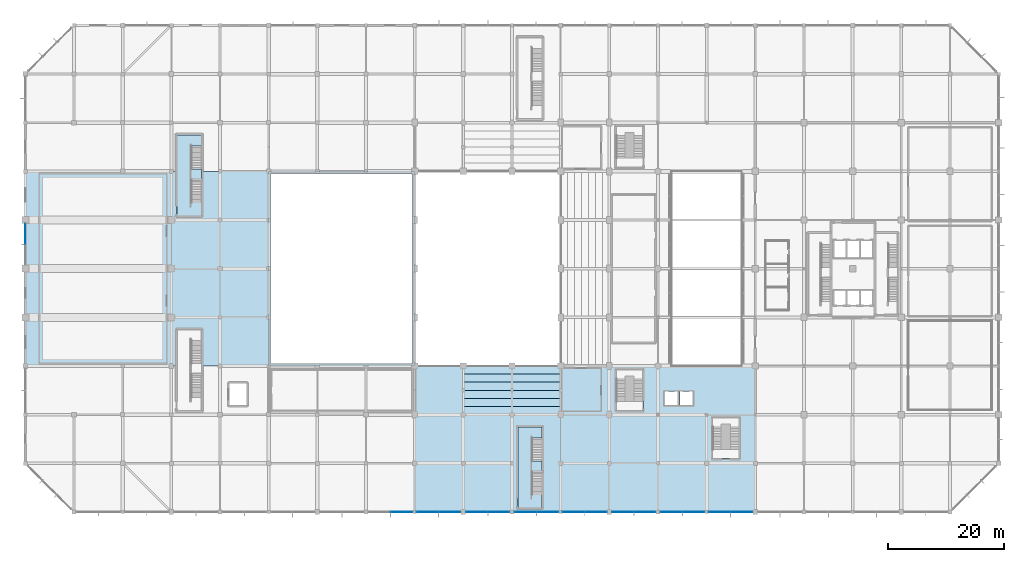
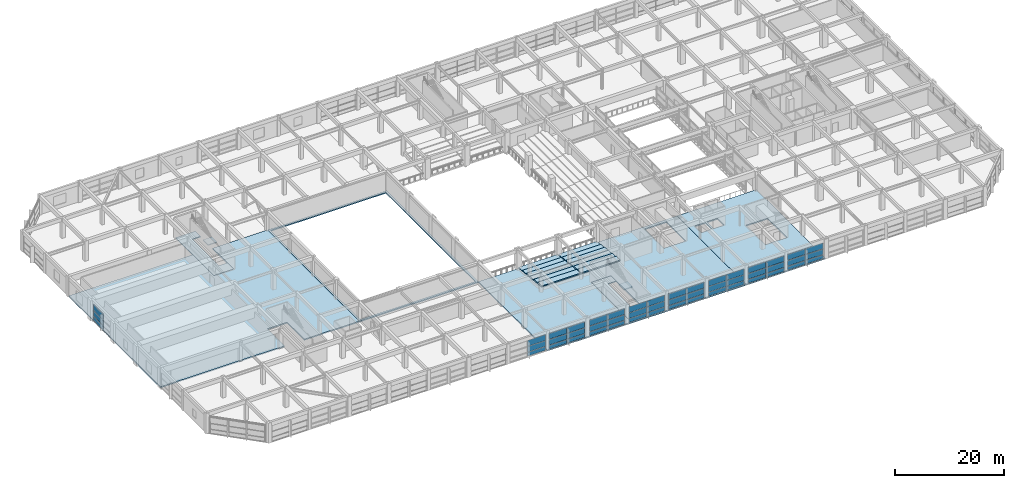
# One storey, part 43 of 62: 48 plates, 10 slabs, 11 elements without a shape of their own.
"""IFC4 building model written with IfcOpenShell, lengths in metres."""

from ifc_helpers import new_model, si_unit, direction, frame, origin, origin_2d, place, context, subcontext, project, spatial, polyline, rectangle, outline, extrude, material, layer, layer_set, type_object, element, aggregate, save


model = new_model("IFC4")

# Units and contexts
model_context = context("Model", 3, precision=1e-05, world=origin(), true_north=direction((0.0, 1.0)))
body_context = subcontext(model_context, "Body", "Model", "MODEL_VIEW")
ifc_project = project(units=[si_unit("LENGTHUNIT", "METRE"), si_unit("AREAUNIT", "SQUARE_METRE"), si_unit("VOLUMEUNIT", "CUBIC_METRE"), si_unit("PLANEANGLEUNIT", "RADIAN"), si_unit("MASSUNIT", "GRAM", prefix="KILO")], contexts=[model_context])

# Site, building, storey
site_placement = place(None, origin())
site = spatial("IfcSite", under=ifc_project, at=site_placement, CompositionType="ELEMENT")
building_placement = place(site_placement, origin())
building = spatial("IfcBuilding", under=site, at=building_placement, Name="Xuanlan Plaza Opera House", CompositionType="ELEMENT")
storey_placement = place(building_placement, frame((0.0, 0.0, 14.39990234375)))
storey = spatial("IfcBuildingStorey", under=building, at=storey_placement, Name="L03", CompositionType="ELEMENT", Elevation=14.39990234375)

# Curtain wall, plates
ifc_material_1 = material(Name="Anodised Aluminium 6063-T6 and Low-E Glass", Category="aluminium")
curtain_wall_type_1 = type_object("IfcCurtainWallType", Name="ENV-CW-CW-06", PredefinedType="USERDEFINED", material=ifc_material_1)
curtain_wall_1_placement = place(storey_placement, origin())
curtain_wall_1 = element("IfcCurtainWall", 1, at=curtain_wall_1_placement, inside=storey, type_object=curtain_wall_type_1, Name="Acoustic Glazed Wall L03-007", ObjectType="ACOUSTIC GLAZED WALL", PredefinedType="USERDEFINED")
ifc_material_2 = material(Name="Laminated Acoustic Double Glazing", Category="glass")
ifc_layer_1 = layer(ifc_material_2, 0.028076171875)
ifc_layer_set_1 = layer_set([ifc_layer_1], Name="Laminated Acoustic Double Glazing")
plate_type_1 = type_object("IfcPlateType", Name="ENV-CWP-01", PredefinedType="CURTAIN_PANEL", material=ifc_layer_set_1)
plate_1_placement = place(storey_placement, frame((64.93505859375, 16.800048828125, 0.080078125), z_axis=(0.0, 0.0, 1.0), x_axis=(1.0, 0.0, 0.0)))
plate_1 = element("IfcPlate", 2, at=plate_1_placement, type_object=plate_type_1, Name="CW-06 panel 2.1", PredefinedType="CURTAIN_PANEL", context=body_context, shape_type="SweptSolid", body=[
    extrude(rectangle(XDim=3.75, YDim=0.028076171875, at=origin_2d()), origin(), (0.0, 0.0, 1.0), 0.830078125),
])
plate_2_placement = place(storey_placement, frame((64.93505859375, 16.800048828125, 0.990234375), z_axis=(0.0, 0.0, 1.0), x_axis=(1.0, 0.0, 0.0)))
plate_2 = element("IfcPlate", 3, at=plate_2_placement, type_object=plate_type_1, Name="CW-06 panel 2.2", PredefinedType="CURTAIN_PANEL", context=body_context, shape_type="SweptSolid", body=[
    extrude(rectangle(XDim=3.75, YDim=0.028076171875, at=origin_2d()), origin(), (0.0, 0.0, 1.0), 1.219970703125),
])
plate_3_placement = place(storey_placement, frame((64.93505859375, 16.800048828125, 2.2900390625), z_axis=(0.0, 0.0, 1.0), x_axis=(1.0, 0.0, 0.0)))
plate_3 = element("IfcPlate", 4, at=plate_3_placement, type_object=plate_type_1, Name="CW-06 panel 2.3", PredefinedType="CURTAIN_PANEL", context=body_context, shape_type="SweptSolid", body=[
    extrude(rectangle(XDim=3.75, YDim=0.028076171875, at=origin_2d()), origin(), (0.0, 0.0, 1.0), 1.31005859375),
])
aggregate(curtain_wall_1, [plate_1, plate_2, plate_3])

curtain_wall_type_2 = type_object("IfcCurtainWallType", Name="ENV-CW-CW-05", PredefinedType="USERDEFINED", material=ifc_material_1)
curtain_wall_2_placement = place(storey_placement, origin())
curtain_wall_2 = element("IfcCurtainWall", 5, at=curtain_wall_2_placement, inside=storey, type_object=curtain_wall_type_2, Name="Acoustic Glazed Wall L03-012", ObjectType="ACOUSTIC GLAZED WALL", PredefinedType="USERDEFINED")
plate_4_placement = place(storey_placement, frame((103.139892578125, 16.800048828125, 0.080078125), z_axis=(0.0, 0.0, 1.0), x_axis=(1.0, 0.0, 0.0)))
plate_4 = element("IfcPlate", 6, at=plate_4_placement, type_object=plate_type_1, Name="CW-05 panel 1.1", PredefinedType="CURTAIN_PANEL", context=body_context, shape_type="SweptSolid", body=[
    extrude(rectangle(XDim=3.699951171875, YDim=0.028076171875, at=origin_2d()), origin(), (0.0, 0.0, 1.0), 0.830078125),
])
plate_5_placement = place(storey_placement, frame((103.139892578125, 16.800048828125, 0.990234375), z_axis=(0.0, 0.0, 1.0), x_axis=(1.0, 0.0, 0.0)))
plate_5 = element("IfcPlate", 7, at=plate_5_placement, type_object=plate_type_1, Name="CW-05 panel 1.2", PredefinedType="CURTAIN_PANEL", context=body_context, shape_type="SweptSolid", body=[
    extrude(rectangle(XDim=3.699951171875, YDim=0.028076171875, at=origin_2d()), origin(), (0.0, 0.0, 1.0), 1.219970703125),
])
plate_6_placement = place(storey_placement, frame((103.139892578125, 16.800048828125, 2.2900390625), z_axis=(0.0, 0.0, 1.0), x_axis=(1.0, 0.0, 0.0)))
plate_6 = element("IfcPlate", 8, at=plate_6_placement, type_object=plate_type_1, Name="CW-05 panel 1.3", PredefinedType="CURTAIN_PANEL", context=body_context, shape_type="SweptSolid", body=[
    extrude(rectangle(XDim=3.699951171875, YDim=0.028076171875, at=origin_2d()), origin(), (0.0, 0.0, 1.0), 1.31005859375),
])
plate_7_placement = place(storey_placement, frame((106.909912109375, 16.800048828125, 0.080078125), z_axis=(0.0, 0.0, 1.0), x_axis=(1.0, 0.0, 0.0)))
plate_7 = element("IfcPlate", 9, at=plate_7_placement, type_object=plate_type_1, Name="CW-05 panel 2.1", PredefinedType="CURTAIN_PANEL", context=body_context, shape_type="SweptSolid", body=[
    extrude(rectangle(XDim=3.699951171875, YDim=0.028076171875, at=origin_2d()), origin(), (0.0, 0.0, 1.0), 0.830078125),
])
plate_8_placement = place(storey_placement, frame((106.909912109375, 16.800048828125, 0.990234375), z_axis=(0.0, 0.0, 1.0), x_axis=(1.0, 0.0, 0.0)))
plate_8 = element("IfcPlate", 10, at=plate_8_placement, type_object=plate_type_1, Name="CW-05 panel 2.2", PredefinedType="CURTAIN_PANEL", context=body_context, shape_type="SweptSolid", body=[
    extrude(rectangle(XDim=3.699951171875, YDim=0.028076171875, at=origin_2d()), origin(), (0.0, 0.0, 1.0), 1.219970703125),
])
plate_9_placement = place(storey_placement, frame((106.909912109375, 16.800048828125, 2.2900390625), z_axis=(0.0, 0.0, 1.0), x_axis=(1.0, 0.0, 0.0)))
plate_9 = element("IfcPlate", 11, at=plate_9_placement, type_object=plate_type_1, Name="CW-05 panel 2.3", PredefinedType="CURTAIN_PANEL", context=body_context, shape_type="SweptSolid", body=[
    extrude(rectangle(XDim=3.699951171875, YDim=0.028076171875, at=origin_2d()), origin(), (0.0, 0.0, 1.0), 1.31005859375),
])
aggregate(curtain_wall_2, [plate_4, plate_5, plate_6, plate_7, plate_8, plate_9])

curtain_wall_3_placement = place(storey_placement, origin())
curtain_wall_3 = element("IfcCurtainWall", 12, at=curtain_wall_3_placement, inside=storey, type_object=curtain_wall_type_1, Name="Acoustic Glazed Wall L03-009", ObjectType="ACOUSTIC GLAZED WALL", PredefinedType="USERDEFINED")
ifc_layer_2 = layer(ifc_material_2, 0.031982421875)
ifc_layer_set_2 = layer_set([ifc_layer_2], Name="Laminated Acoustic Double Glazing")
plate_type_2 = type_object("IfcPlateType", Name="ENV-CWP-02", PredefinedType="CURTAIN_PANEL", material=ifc_layer_set_2)
plate_10_placement = place(storey_placement, frame((77.9423828125, 16.800048828125, 0.0751953125), z_axis=(0.0, 0.0, 1.0), x_axis=(1.0, 0.0, 0.0)))
plate_10 = element("IfcPlate", 13, at=plate_10_placement, type_object=plate_type_2, Name="CW-06 panel 1.1", PredefinedType="CURTAIN_PANEL", context=body_context, shape_type="SweptSolid", body=[
    extrude(rectangle(XDim=3.68505859375, YDim=0.031982421875, at=origin_2d()), origin(), (0.0, 0.0, 1.0), 0.83740234375),
])
plate_11_placement = place(storey_placement, frame((77.9423828125, 16.800048828125, 0.987548828125), z_axis=(0.0, 0.0, 1.0), x_axis=(1.0, 0.0, 0.0)))
plate_11 = element("IfcPlate", 14, at=plate_11_placement, type_object=plate_type_2, Name="CW-06 panel 1.2", PredefinedType="CURTAIN_PANEL", context=body_context, shape_type="SweptSolid", body=[
    extrude(rectangle(XDim=3.68505859375, YDim=0.031982421875, at=origin_2d()), origin(), (0.0, 0.0, 1.0), 1.22509765625),
])
plate_12_placement = place(storey_placement, frame((77.9423828125, 16.800048828125, 2.28759765625), z_axis=(0.0, 0.0, 1.0), x_axis=(1.0, 0.0, 0.0)))
plate_12 = element("IfcPlate", 15, at=plate_12_placement, type_object=plate_type_2, Name="CW-06 panel 1.3", PredefinedType="CURTAIN_PANEL", context=body_context, shape_type="SweptSolid", body=[
    extrude(rectangle(XDim=3.68505859375, YDim=0.031982421875, at=origin_2d()), origin(), (0.0, 0.0, 1.0), 1.3173828125),
])
plate_13_placement = place(storey_placement, frame((81.70751953125, 16.800048828125, 0.0751953125), z_axis=(0.0, 0.0, 1.0), x_axis=(1.0, 0.0, 0.0)))
plate_13 = element("IfcPlate", 16, at=plate_13_placement, type_object=plate_type_2, Name="CW-06 panel 2.1", PredefinedType="CURTAIN_PANEL", context=body_context, shape_type="SweptSolid", body=[
    extrude(rectangle(XDim=3.68505859375, YDim=0.031982421875, at=origin_2d()), origin(), (0.0, 0.0, 1.0), 0.83740234375),
])
plate_14_placement = place(storey_placement, frame((81.70751953125, 16.800048828125, 0.987548828125), z_axis=(0.0, 0.0, 1.0), x_axis=(1.0, 0.0, 0.0)))
plate_14 = element("IfcPlate", 17, at=plate_14_placement, type_object=plate_type_2, Name="CW-06 panel 2.2", PredefinedType="CURTAIN_PANEL", context=body_context, shape_type="SweptSolid", body=[
    extrude(rectangle(XDim=3.68505859375, YDim=0.031982421875, at=origin_2d()), origin(), (0.0, 0.0, 1.0), 1.22509765625),
])
plate_15_placement = place(storey_placement, frame((81.70751953125, 16.800048828125, 2.28759765625), z_axis=(0.0, 0.0, 1.0), x_axis=(1.0, 0.0, 0.0)))
plate_15 = element("IfcPlate", 18, at=plate_15_placement, type_object=plate_type_2, Name="CW-06 panel 2.3", PredefinedType="CURTAIN_PANEL", context=body_context, shape_type="SweptSolid", body=[
    extrude(rectangle(XDim=3.68505859375, YDim=0.031982421875, at=origin_2d()), origin(), (0.0, 0.0, 1.0), 1.3173828125),
])
aggregate(curtain_wall_3, [plate_10, plate_11, plate_12, plate_13, plate_14, plate_15])

curtain_wall_4_placement = place(storey_placement, origin())
curtain_wall_4 = element("IfcCurtainWall", 19, at=curtain_wall_4_placement, inside=storey, type_object=curtain_wall_type_2, Name="Acoustic Glazed Wall L03-014", ObjectType="ACOUSTIC GLAZED WALL", PredefinedType="USERDEFINED")
plate_16_placement = place(storey_placement, frame((119.85498046875, 16.800048828125, 0.0751953125), z_axis=(0.0, 0.0, 1.0), x_axis=(1.0, 0.0, 0.0)))
plate_16 = element("IfcPlate", 20, at=plate_16_placement, type_object=plate_type_2, Name="CW-05 panel 1.1", PredefinedType="CURTAIN_PANEL", context=body_context, shape_type="SweptSolid", body=[
    extrude(rectangle(XDim=3.7099609375, YDim=0.031982421875, at=origin_2d()), origin(), (0.0, 0.0, 1.0), 0.83740234375),
])
plate_17_placement = place(storey_placement, frame((119.85498046875, 16.800048828125, 0.987548828125), z_axis=(0.0, 0.0, 1.0), x_axis=(1.0, 0.0, 0.0)))
plate_17 = element("IfcPlate", 21, at=plate_17_placement, type_object=plate_type_2, Name="CW-05 panel 1.2", PredefinedType="CURTAIN_PANEL", context=body_context, shape_type="SweptSolid", body=[
    extrude(rectangle(XDim=3.7099609375, YDim=0.031982421875, at=origin_2d()), origin(), (0.0, 0.0, 1.0), 1.22509765625),
])
plate_18_placement = place(storey_placement, frame((119.85498046875, 16.800048828125, 2.28759765625), z_axis=(0.0, 0.0, 1.0), x_axis=(1.0, 0.0, 0.0)))
plate_18 = element("IfcPlate", 22, at=plate_18_placement, type_object=plate_type_2, Name="CW-05 panel 1.3", PredefinedType="CURTAIN_PANEL", context=body_context, shape_type="SweptSolid", body=[
    extrude(rectangle(XDim=3.7099609375, YDim=0.031982421875, at=origin_2d()), origin(), (0.0, 0.0, 1.0), 1.3173828125),
])
plate_19_placement = place(storey_placement, frame((123.64501953125, 16.800048828125, 0.0751953125), z_axis=(0.0, 0.0, 1.0), x_axis=(1.0, 0.0, 0.0)))
plate_19 = element("IfcPlate", 23, at=plate_19_placement, type_object=plate_type_2, Name="CW-05 panel 2.1", PredefinedType="CURTAIN_PANEL", context=body_context, shape_type="SweptSolid", body=[
    extrude(rectangle(XDim=3.7099609375, YDim=0.031982421875, at=origin_2d()), origin(), (0.0, 0.0, 1.0), 0.83740234375),
])
plate_20_placement = place(storey_placement, frame((123.64501953125, 16.800048828125, 0.987548828125), z_axis=(0.0, 0.0, 1.0), x_axis=(1.0, 0.0, 0.0)))
plate_20 = element("IfcPlate", 24, at=plate_20_placement, type_object=plate_type_2, Name="CW-05 panel 2.2", PredefinedType="CURTAIN_PANEL", context=body_context, shape_type="SweptSolid", body=[
    extrude(rectangle(XDim=3.7099609375, YDim=0.031982421875, at=origin_2d()), origin(), (0.0, 0.0, 1.0), 1.22509765625),
])
plate_21_placement = place(storey_placement, frame((123.64501953125, 16.800048828125, 2.28759765625), z_axis=(0.0, 0.0, 1.0), x_axis=(1.0, 0.0, 0.0)))
plate_21 = element("IfcPlate", 25, at=plate_21_placement, type_object=plate_type_2, Name="CW-05 panel 2.3", PredefinedType="CURTAIN_PANEL", context=body_context, shape_type="SweptSolid", body=[
    extrude(rectangle(XDim=3.7099609375, YDim=0.031982421875, at=origin_2d()), origin(), (0.0, 0.0, 1.0), 1.3173828125),
])
aggregate(curtain_wall_4, [plate_16, plate_17, plate_18, plate_19, plate_20, plate_21])

curtain_wall_5_placement = place(storey_placement, origin())
curtain_wall_5 = element("IfcCurtainWall", 26, at=curtain_wall_5_placement, inside=storey, type_object=curtain_wall_type_1, Name="Acoustic Glazed Wall L03-011", ObjectType="ACOUSTIC GLAZED WALL", PredefinedType="USERDEFINED")
ifc_layer_3 = layer(ifc_material_2, 0.035888671875)
ifc_layer_set_3 = layer_set([ifc_layer_3], Name="Laminated Acoustic Double Glazing")
plate_type_3 = type_object("IfcPlateType", Name="ENV-CWP-03", PredefinedType="CURTAIN_PANEL", material=ifc_layer_set_3)
plate_22_placement = place(storey_placement, frame((94.6513671875, 16.800048828125, 0.0703125), z_axis=(0.0, 0.0, 1.0), x_axis=(1.0, 0.0, 0.0)))
plate_22 = element("IfcPlate", 27, at=plate_22_placement, type_object=plate_type_3, Name="CW-06 panel 1.1", PredefinedType="CURTAIN_PANEL", context=body_context, shape_type="SweptSolid", body=[
    extrude(rectangle(XDim=3.732421875, YDim=0.035888671875, at=origin_2d()), origin(), (0.0, 0.0, 1.0), 0.844970703125),
])
plate_23_placement = place(storey_placement, frame((94.6513671875, 16.800048828125, 0.985107421875), z_axis=(0.0, 0.0, 1.0), x_axis=(1.0, 0.0, 0.0)))
plate_23 = element("IfcPlate", 28, at=plate_23_placement, type_object=plate_type_3, Name="CW-06 panel 1.2", PredefinedType="CURTAIN_PANEL", context=body_context, shape_type="SweptSolid", body=[
    extrude(rectangle(XDim=3.732421875, YDim=0.035888671875, at=origin_2d()), origin(), (0.0, 0.0, 1.0), 1.22998046875),
])
plate_24_placement = place(storey_placement, frame((94.6513671875, 16.800048828125, 2.28515625), z_axis=(0.0, 0.0, 1.0), x_axis=(1.0, 0.0, 0.0)))
plate_24 = element("IfcPlate", 29, at=plate_24_placement, type_object=plate_type_3, Name="CW-06 panel 1.3", PredefinedType="CURTAIN_PANEL", context=body_context, shape_type="SweptSolid", body=[
    extrude(rectangle(XDim=3.732421875, YDim=0.035888671875, at=origin_2d()), origin(), (0.0, 0.0, 1.0), 1.324951171875),
])
plate_25_placement = place(storey_placement, frame((98.44873046875, 16.800048828125, 0.0703125), z_axis=(0.0, 0.0, 1.0), x_axis=(1.0, 0.0, 0.0)))
plate_25 = element("IfcPlate", 30, at=plate_25_placement, type_object=plate_type_3, Name="CW-06 panel 2.1", PredefinedType="CURTAIN_PANEL", context=body_context, shape_type="SweptSolid", body=[
    extrude(rectangle(XDim=3.732421875, YDim=0.035888671875, at=origin_2d()), origin(), (0.0, 0.0, 1.0), 0.844970703125),
])
plate_26_placement = place(storey_placement, frame((98.44873046875, 16.800048828125, 0.985107421875), z_axis=(0.0, 0.0, 1.0), x_axis=(1.0, 0.0, 0.0)))
plate_26 = element("IfcPlate", 31, at=plate_26_placement, type_object=plate_type_3, Name="CW-06 panel 2.2", PredefinedType="CURTAIN_PANEL", context=body_context, shape_type="SweptSolid", body=[
    extrude(rectangle(XDim=3.732421875, YDim=0.035888671875, at=origin_2d()), origin(), (0.0, 0.0, 1.0), 1.22998046875),
])
plate_27_placement = place(storey_placement, frame((98.44873046875, 16.800048828125, 2.28515625), z_axis=(0.0, 0.0, 1.0), x_axis=(1.0, 0.0, 0.0)))
plate_27 = element("IfcPlate", 32, at=plate_27_placement, type_object=plate_type_3, Name="CW-06 panel 2.3", PredefinedType="CURTAIN_PANEL", context=body_context, shape_type="SweptSolid", body=[
    extrude(rectangle(XDim=3.732421875, YDim=0.035888671875, at=origin_2d()), origin(), (0.0, 0.0, 1.0), 1.324951171875),
])
aggregate(curtain_wall_5, [plate_22, plate_23, plate_24, plate_25, plate_26, plate_27])

curtain_wall_type_3 = type_object("IfcCurtainWallType", Name="ENV-CW-CW-04", PredefinedType="USERDEFINED", material=ifc_material_1)
curtain_wall_6_placement = place(storey_placement, origin())
curtain_wall_6 = element("IfcCurtainWall", 33, at=curtain_wall_6_placement, inside=storey, type_object=curtain_wall_type_3, Name="Unitised Curtain Wall L03-051", ObjectType="UNITISED CURTAIN WALL", PredefinedType="USERDEFINED")
plate_28_placement = place(storey_placement, frame((0.0, 64.773681640625, 0.0703125), z_axis=(0.0, 0.0, 1.0), x_axis=(0.0, -1.0, 0.0)))
plate_28 = element("IfcPlate", 34, at=plate_28_placement, type_object=plate_type_3, Name="CW-04 panel 1.1", PredefinedType="CURTAIN_PANEL", context=body_context, shape_type="SweptSolid", body=[
    extrude(rectangle(XDim=3.482421875, YDim=0.035888671875, at=origin_2d()), origin(), (0.0, 0.0, 1.0), 0.844970703125),
])
plate_29_placement = place(storey_placement, frame((0.0, 64.773681640625, 0.985107421875), z_axis=(0.0, 0.0, 1.0), x_axis=(0.0, -1.0, 0.0)))
plate_29 = element("IfcPlate", 35, at=plate_29_placement, type_object=plate_type_3, Name="CW-04 panel 1.2", PredefinedType="CURTAIN_PANEL", context=body_context, shape_type="SweptSolid", body=[
    extrude(rectangle(XDim=3.482421875, YDim=0.035888671875, at=origin_2d()), origin(), (0.0, 0.0, 1.0), 1.22998046875),
])
plate_30_placement = place(storey_placement, frame((0.0, 64.773681640625, 2.28515625), z_axis=(0.0, 0.0, 1.0), x_axis=(0.0, -1.0, 0.0)))
plate_30 = element("IfcPlate", 36, at=plate_30_placement, type_object=plate_type_3, Name="CW-04 panel 1.3", PredefinedType="CURTAIN_PANEL", context=body_context, shape_type="SweptSolid", body=[
    extrude(rectangle(XDim=3.482421875, YDim=0.035888671875, at=origin_2d()), origin(), (0.0, 0.0, 1.0), 1.324951171875),
])
aggregate(curtain_wall_6, [plate_28, plate_29, plate_30])

curtain_wall_7_placement = place(storey_placement, origin())
curtain_wall_7 = element("IfcCurtainWall", 37, at=curtain_wall_7_placement, inside=storey, type_object=curtain_wall_type_2, Name="Acoustic Glazed Wall L03-008", ObjectType="ACOUSTIC GLAZED WALL", PredefinedType="USERDEFINED")
ifc_layer_4 = layer(ifc_material_2, 0.0400390625)
ifc_layer_set_4 = layer_set([ifc_layer_4], Name="Laminated Acoustic Double Glazing")
plate_type_4 = type_object("IfcPlateType", Name="ENV-CWP-04", PredefinedType="CURTAIN_PANEL", material=ifc_layer_set_4)
plate_31_placement = place(storey_placement, frame((69.453857421875, 16.800048828125, 0.065185546875), z_axis=(0.0, 0.0, 1.0), x_axis=(1.0, 0.0, 0.0)))
plate_31 = element("IfcPlate", 38, at=plate_31_placement, type_object=plate_type_4, Name="CW-05 panel 1.1", PredefinedType="CURTAIN_PANEL", context=body_context, shape_type="SweptSolid", body=[
    extrude(rectangle(XDim=3.717529296875, YDim=0.0400390625, at=origin_2d()), origin(), (0.0, 0.0, 1.0), 0.8525390625),
])
plate_32_placement = place(storey_placement, frame((69.453857421875, 16.800048828125, 0.982421875), z_axis=(0.0, 0.0, 1.0), x_axis=(1.0, 0.0, 0.0)))
plate_32 = element("IfcPlate", 39, at=plate_32_placement, type_object=plate_type_4, Name="CW-05 panel 1.2", PredefinedType="CURTAIN_PANEL", context=body_context, shape_type="SweptSolid", body=[
    extrude(rectangle(XDim=3.717529296875, YDim=0.0400390625, at=origin_2d()), origin(), (0.0, 0.0, 1.0), 1.235107421875),
])
plate_33_placement = place(storey_placement, frame((69.453857421875, 16.800048828125, 2.282470703125), z_axis=(0.0, 0.0, 1.0), x_axis=(1.0, 0.0, 0.0)))
plate_33 = element("IfcPlate", 40, at=plate_33_placement, type_object=plate_type_4, Name="CW-05 panel 1.3", PredefinedType="CURTAIN_PANEL", context=body_context, shape_type="SweptSolid", body=[
    extrude(rectangle(XDim=3.717529296875, YDim=0.0400390625, at=origin_2d()), origin(), (0.0, 0.0, 1.0), 1.33251953125),
])
plate_34_placement = place(storey_placement, frame((73.246337890625, 16.800048828125, 0.065185546875), z_axis=(0.0, 0.0, 1.0), x_axis=(1.0, 0.0, 0.0)))
plate_34 = element("IfcPlate", 41, at=plate_34_placement, type_object=plate_type_4, Name="CW-05 panel 2.1", PredefinedType="CURTAIN_PANEL", context=body_context, shape_type="SweptSolid", body=[
    extrude(rectangle(XDim=3.717529296875, YDim=0.0400390625, at=origin_2d()), origin(), (0.0, 0.0, 1.0), 0.8525390625),
])
plate_35_placement = place(storey_placement, frame((73.246337890625, 16.800048828125, 0.982421875), z_axis=(0.0, 0.0, 1.0), x_axis=(1.0, 0.0, 0.0)))
plate_35 = element("IfcPlate", 42, at=plate_35_placement, type_object=plate_type_4, Name="CW-05 panel 2.2", PredefinedType="CURTAIN_PANEL", context=body_context, shape_type="SweptSolid", body=[
    extrude(rectangle(XDim=3.717529296875, YDim=0.0400390625, at=origin_2d()), origin(), (0.0, 0.0, 1.0), 1.235107421875),
])
plate_36_placement = place(storey_placement, frame((73.246337890625, 16.800048828125, 2.282470703125), z_axis=(0.0, 0.0, 1.0), x_axis=(1.0, 0.0, 0.0)))
plate_36 = element("IfcPlate", 43, at=plate_36_placement, type_object=plate_type_4, Name="CW-05 panel 2.3", PredefinedType="CURTAIN_PANEL", context=body_context, shape_type="SweptSolid", body=[
    extrude(rectangle(XDim=3.717529296875, YDim=0.0400390625, at=origin_2d()), origin(), (0.0, 0.0, 1.0), 1.33251953125),
])
aggregate(curtain_wall_7, [plate_31, plate_32, plate_33, plate_34, plate_35, plate_36])

curtain_wall_8_placement = place(storey_placement, origin())
curtain_wall_8 = element("IfcCurtainWall", 44, at=curtain_wall_8_placement, inside=storey, type_object=curtain_wall_type_1, Name="Acoustic Glazed Wall L03-013", ObjectType="ACOUSTIC GLAZED WALL", PredefinedType="USERDEFINED")
plate_37_placement = place(storey_placement, frame((111.516357421875, 16.800048828125, 0.065185546875), z_axis=(0.0, 0.0, 1.0), x_axis=(1.0, 0.0, 0.0)))
plate_37 = element("IfcPlate", 45, at=plate_37_placement, type_object=plate_type_4, Name="CW-06 panel 1.1", PredefinedType="CURTAIN_PANEL", context=body_context, shape_type="SweptSolid", body=[
    extrude(rectangle(XDim=3.742431640625, YDim=0.0400390625, at=origin_2d()), origin(), (0.0, 0.0, 1.0), 0.8525390625),
])
plate_38_placement = place(storey_placement, frame((111.516357421875, 16.800048828125, 0.982421875), z_axis=(0.0, 0.0, 1.0), x_axis=(1.0, 0.0, 0.0)))
plate_38 = element("IfcPlate", 46, at=plate_38_placement, type_object=plate_type_4, Name="CW-06 panel 1.2", PredefinedType="CURTAIN_PANEL", context=body_context, shape_type="SweptSolid", body=[
    extrude(rectangle(XDim=3.742431640625, YDim=0.0400390625, at=origin_2d()), origin(), (0.0, 0.0, 1.0), 1.235107421875),
])
plate_39_placement = place(storey_placement, frame((111.516357421875, 16.800048828125, 2.282470703125), z_axis=(0.0, 0.0, 1.0), x_axis=(1.0, 0.0, 0.0)))
plate_39 = element("IfcPlate", 47, at=plate_39_placement, type_object=plate_type_4, Name="CW-06 panel 1.3", PredefinedType="CURTAIN_PANEL", context=body_context, shape_type="SweptSolid", body=[
    extrude(rectangle(XDim=3.742431640625, YDim=0.0400390625, at=origin_2d()), origin(), (0.0, 0.0, 1.0), 1.33251953125),
])
plate_40_placement = place(storey_placement, frame((115.333740234375, 16.800048828125, 0.065185546875), z_axis=(0.0, 0.0, 1.0), x_axis=(1.0, 0.0, 0.0)))
plate_40 = element("IfcPlate", 48, at=plate_40_placement, type_object=plate_type_4, Name="CW-06 panel 2.1", PredefinedType="CURTAIN_PANEL", context=body_context, shape_type="SweptSolid", body=[
    extrude(rectangle(XDim=3.742431640625, YDim=0.0400390625, at=origin_2d()), origin(), (0.0, 0.0, 1.0), 0.8525390625),
])
plate_41_placement = place(storey_placement, frame((115.333740234375, 16.800048828125, 0.982421875), z_axis=(0.0, 0.0, 1.0), x_axis=(1.0, 0.0, 0.0)))
plate_41 = element("IfcPlate", 49, at=plate_41_placement, type_object=plate_type_4, Name="CW-06 panel 2.2", PredefinedType="CURTAIN_PANEL", context=body_context, shape_type="SweptSolid", body=[
    extrude(rectangle(XDim=3.742431640625, YDim=0.0400390625, at=origin_2d()), origin(), (0.0, 0.0, 1.0), 1.235107421875),
])
plate_42_placement = place(storey_placement, frame((115.333740234375, 16.800048828125, 2.282470703125), z_axis=(0.0, 0.0, 1.0), x_axis=(1.0, 0.0, 0.0)))
plate_42 = element("IfcPlate", 50, at=plate_42_placement, type_object=plate_type_4, Name="CW-06 panel 2.3", PredefinedType="CURTAIN_PANEL", context=body_context, shape_type="SweptSolid", body=[
    extrude(rectangle(XDim=3.742431640625, YDim=0.0400390625, at=origin_2d()), origin(), (0.0, 0.0, 1.0), 1.33251953125),
])
aggregate(curtain_wall_8, [plate_37, plate_38, plate_39, plate_40, plate_41, plate_42])

curtain_wall_9_placement = place(storey_placement, origin())
curtain_wall_9 = element("IfcCurtainWall", 51, at=curtain_wall_9_placement, inside=storey, type_object=curtain_wall_type_2, Name="Acoustic Glazed Wall L03-010", ObjectType="ACOUSTIC GLAZED WALL", PredefinedType="USERDEFINED")
ifc_layer_5 = layer(ifc_material_2, 0.0439453125)
ifc_layer_set_5 = layer_set([ifc_layer_5], Name="Laminated Acoustic Double Glazing")
plate_type_5 = type_object("IfcPlateType", Name="ENV-CWP-05", PredefinedType="CURTAIN_PANEL", material=ifc_layer_set_5)
plate_43_placement = place(storey_placement, frame((86.320068359375, 16.800048828125, 0.090087890625), z_axis=(0.0, 0.0, 1.0), x_axis=(1.0, 0.0, 0.0)))
plate_43 = element("IfcPlate", 52, at=plate_43_placement, type_object=plate_type_5, Name="CW-05 panel 1.1", PredefinedType="CURTAIN_PANEL", context=body_context, shape_type="SweptSolid", body=[
    extrude(rectangle(XDim=3.719970703125, YDim=0.0439453125, at=origin_2d()), origin(), (0.0, 0.0, 1.0), 0.81494140625),
])
plate_44_placement = place(storey_placement, frame((86.320068359375, 16.800048828125, 0.9951171875), z_axis=(0.0, 0.0, 1.0), x_axis=(1.0, 0.0, 0.0)))
plate_44 = element("IfcPlate", 53, at=plate_44_placement, type_object=plate_type_5, Name="CW-05 panel 1.2", PredefinedType="CURTAIN_PANEL", context=body_context, shape_type="SweptSolid", body=[
    extrude(rectangle(XDim=3.719970703125, YDim=0.0439453125, at=origin_2d()), origin(), (0.0, 0.0, 1.0), 1.2099609375),
])
plate_45_placement = place(storey_placement, frame((86.320068359375, 16.800048828125, 2.295166015625), z_axis=(0.0, 0.0, 1.0), x_axis=(1.0, 0.0, 0.0)))
plate_45 = element("IfcPlate", 54, at=plate_45_placement, type_object=plate_type_5, Name="CW-05 panel 1.3", PredefinedType="CURTAIN_PANEL", context=body_context, shape_type="SweptSolid", body=[
    extrude(rectangle(XDim=3.719970703125, YDim=0.0439453125, at=origin_2d()), origin(), (0.0, 0.0, 1.0), 1.294921875),
])
plate_46_placement = place(storey_placement, frame((90.1298828125, 16.800048828125, 0.090087890625), z_axis=(0.0, 0.0, 1.0), x_axis=(1.0, 0.0, 0.0)))
plate_46 = element("IfcPlate", 55, at=plate_46_placement, type_object=plate_type_5, Name="CW-05 panel 2.1", PredefinedType="CURTAIN_PANEL", context=body_context, shape_type="SweptSolid", body=[
    extrude(rectangle(XDim=3.719970703125, YDim=0.0439453125, at=origin_2d()), origin(), (0.0, 0.0, 1.0), 0.81494140625),
])
plate_47_placement = place(storey_placement, frame((90.1298828125, 16.800048828125, 0.9951171875), z_axis=(0.0, 0.0, 1.0), x_axis=(1.0, 0.0, 0.0)))
plate_47 = element("IfcPlate", 56, at=plate_47_placement, type_object=plate_type_5, Name="CW-05 panel 2.2", PredefinedType="CURTAIN_PANEL", context=body_context, shape_type="SweptSolid", body=[
    extrude(rectangle(XDim=3.719970703125, YDim=0.0439453125, at=origin_2d()), origin(), (0.0, 0.0, 1.0), 1.2099609375),
])
plate_48_placement = place(storey_placement, frame((90.1298828125, 16.800048828125, 2.295166015625), z_axis=(0.0, 0.0, 1.0), x_axis=(1.0, 0.0, 0.0)))
plate_48 = element("IfcPlate", 57, at=plate_48_placement, type_object=plate_type_5, Name="CW-05 panel 2.3", PredefinedType="CURTAIN_PANEL", context=body_context, shape_type="SweptSolid", body=[
    extrude(rectangle(XDim=3.719970703125, YDim=0.0439453125, at=origin_2d()), origin(), (0.0, 0.0, 1.0), 1.294921875),
])
aggregate(curtain_wall_9, [plate_43, plate_44, plate_45, plate_46, plate_47, plate_48])

# Stair, slabs
ifc_material_3 = material(Name="Concrete C40", Category="concrete")
stair_type = type_object("IfcStairType", Name="INT-ST-STR-P180", PredefinedType="STRAIGHT_RUN_STAIR", material=ifc_material_3)
stair_1_placement = place(storey_placement, origin())
stair_1 = element("IfcStair", 58, at=stair_1_placement, inside=storey, type_object=stair_type, Name="Protected Exit Stair ST-P2 L03", PredefinedType="STRAIGHT_RUN_STAIR")
ifc_layer_6 = layer(ifc_material_3, 0.199951171875)
ifc_layer_set_6 = layer_set([ifc_layer_6], Name="Concrete C40")
slab_type_1 = type_object("IfcSlabType", Name="INT-SLB-LND-20", PredefinedType="LANDING", material=ifc_layer_set_6)
slab_1_placement = place(storey_placement, frame((0.0, 0.0, 2.050048828125)))
slab_1 = element("IfcSlab", 59, at=slab_1_placement, type_object=slab_type_1, Name="ST-P2-L03 landing 1", PredefinedType="LANDING", context=body_context, shape_type="SweptSolid", body=[
    extrude(outline(polyline([(28.60009765625, 74.135009765625), (30.39990234375, 74.135009765625), (30.39990234375, 76.034912109375), (28.60009765625, 76.034912109375), (28.60009765625, 74.135009765625)])), origin(), (0.0, 0.0, 1.0), 0.199951171875),
])
slab_2_placement = place(storey_placement, frame((0.0, 0.0, -0.199951171875)))
slab_2 = element("IfcSlab", 60, at=slab_2_placement, type_object=slab_type_1, Name="ST-P2-L03 landing 2", PredefinedType="LANDING", context=body_context, shape_type="SweptSolid", body=[
    extrude(outline(polyline([(26.199951171875, 67.89990234375), (30.39990234375, 67.89990234375), (30.39990234375, 70.195068359375), (28.60009765625, 70.195068359375), (28.60009765625, 79.97509765625), (30.39990234375, 79.97509765625), (30.39990234375, 81.89990234375), (26.199951171875, 81.89990234375), (26.199951171875, 67.89990234375)])), origin(), (0.0, 0.0, 1.0), 0.199951171875),
])
aggregate(stair_1, [slab_1, slab_2])

stair_2_placement = place(storey_placement, origin())
stair_2 = element("IfcStair", 61, at=stair_2_placement, inside=storey, type_object=stair_type, Name="Protected Exit Stair ST-P3 L03", PredefinedType="STRAIGHT_RUN_STAIR")
slab_3_placement = place(storey_placement, frame((0.0, 0.0, 2.050048828125)))
slab_3 = element("IfcSlab", 62, at=slab_3_placement, type_object=slab_type_1, Name="ST-P3-L03 landing 1", PredefinedType="LANDING", context=body_context, shape_type="SweptSolid", body=[
    extrude(outline(polyline([(87.39990234375, 23.735107421875), (89.199951171875, 23.735107421875), (89.199951171875, 25.635009765625), (87.39990234375, 25.635009765625), (87.39990234375, 23.735107421875)])), origin(), (0.0, 0.0, 1.0), 0.199951171875),
])
slab_4_placement = place(storey_placement, frame((0.0, 0.0, -0.199951171875)))
slab_4 = element("IfcSlab", 63, at=slab_4_placement, type_object=slab_type_1, Name="ST-P3-L03 landing 2", PredefinedType="LANDING", context=body_context, shape_type="SweptSolid", body=[
    extrude(outline(polyline([(85.0, 17.5), (89.199951171875, 17.5), (89.199951171875, 19.794921875), (87.39990234375, 19.794921875), (87.39990234375, 29.574951171875), (89.199951171875, 29.574951171875), (89.199951171875, 31.5), (85.0, 31.5), (85.0, 17.5)])), origin(), (0.0, 0.0, 1.0), 0.199951171875),
])
aggregate(stair_2, [slab_3, slab_4])

# Slabs
ifc_layer_7 = layer(ifc_material_3, 0.260009765625)
ifc_layer_set_7 = layer_set([ifc_layer_7], Name="Concrete C40")
slab_type_2 = type_object("IfcSlabType", Name="STR-SLB-SL-02", PredefinedType="FLOOR", material=ifc_layer_set_7)
slab_5_placement = place(storey_placement, frame((0.0, 0.0, -0.260009765625)))
element("IfcSlab", 64, at=slab_5_placement, inside=storey, type_object=slab_type_2, Name="Storey L03 Structural Floor Slab Zone 02", PredefinedType="FLOOR", context=body_context, shape_type="SweptSolid", body=[
    extrude(outline(polyline([(0.0, 75.60009765625), (26.199951171875, 75.60009765625), (26.199951171875, 67.89990234375), (30.39990234375, 67.89990234375), (30.39990234375, 75.60009765625), (42.0, 75.60009765625), (42.0, 42.0), (30.39990234375, 42.0), (30.39990234375, 48.300048828125), (26.199951171875, 48.300048828125), (26.199951171875, 42.0), (0.0, 42.0), (0.0, 75.60009765625)])), origin(), (0.0, 0.0, 1.0), 0.260009765625),
])
slab_6_placement = place(storey_placement, frame((0.0, 0.0, -0.260009765625)))
element("IfcSlab", 65, at=slab_6_placement, inside=storey, type_object=slab_type_2, Name="Storey L03 Structural Floor Slab Zone 05", PredefinedType="FLOOR", context=body_context, shape_type="SweptSolid", body=[
    extrude(outline(polyline([(67.199951171875, 42.0), (42.0, 42.0), (42.0, 75.60009765625), (67.199951171875, 75.60009765625), (67.199951171875, 42.0)]), holes=[polyline([(42.39990234375, 42.39990234375), (66.800048828125, 42.39990234375), (66.800048828125, 75.199951171875), (42.39990234375, 75.199951171875), (42.39990234375, 42.39990234375)])]), origin(), (0.0, 0.0, 1.0), 0.260009765625),
])
slab_7_placement = place(storey_placement, frame((0.0, 0.0, -0.260009765625)))
element("IfcSlab", 66, at=slab_7_placement, inside=storey, type_object=slab_type_2, Name="Storey L03 Structural Floor Slab Zone 07", PredefinedType="FLOOR", context=body_context, shape_type="SweptSolid", body=[
    extrude(outline(polyline([(67.199951171875, 16.800048828125), (67.199951171875, 42.0), (100.800048828125, 42.0), (109.199951171875, 42.0), (109.199951171875, 16.800048828125), (67.199951171875, 16.800048828125)]), holes=[polyline([(89.199951171875, 31.5), (85.0, 31.5), (85.0, 17.5), (89.199951171875, 17.5), (89.199951171875, 31.5)]), polyline([(102.0, 34.300048828125), (106.60009765625, 34.300048828125), (106.60009765625, 41.3798828125), (102.0, 41.3798828125), (102.0, 34.300048828125)])]), origin(), (0.0, 0.0, 1.0), 0.260009765625),
])
slab_8_placement = place(storey_placement, frame((0.0, 0.0, -0.260009765625)))
element("IfcSlab", 67, at=slab_8_placement, inside=storey, type_object=slab_type_2, Name="Storey L03 Structural Floor Slab Zone 10", PredefinedType="FLOOR", context=body_context, shape_type="SweptSolid", body=[
    extrude(outline(polyline([(109.199951171875, 16.800048828125), (109.199951171875, 42.0), (111.60009765625, 42.0), (123.60009765625, 42.0), (126.0, 42.0), (126.0, 16.800048828125), (109.199951171875, 16.800048828125)]), holes=[polyline([(123.199951171875, 33.080078125), (118.60009765625, 33.080078125), (118.60009765625, 26.0), (123.199951171875, 26.0), (123.199951171875, 33.080078125)]), polyline([(110.39990234375, 37.60009765625), (110.39990234375, 35.199951171875), (112.60009765625, 35.199951171875), (112.60009765625, 37.60009765625), (110.39990234375, 37.60009765625)]), polyline([(115.199951171875, 37.60009765625), (113.0, 37.60009765625), (113.0, 35.199951171875), (115.199951171875, 35.199951171875), (115.199951171875, 37.60009765625)])]), origin(), (0.0, 0.0, 1.0), 0.260009765625),
])
ifc_layer_8 = layer(ifc_material_3, 0.2900390625)
ifc_layer_set_8 = layer_set([ifc_layer_8], Name="Concrete C40")
slab_type_3 = type_object("IfcSlabType", Name="STR-SLB-TIER-03", PredefinedType="USERDEFINED", material=ifc_layer_set_8)
for number, where, z_axis, x_axis, name in (
    (68, (79.800048828125, 42.0, 0.0), (0.0, 0.0, 1.0), (0.0, -1.0, 0.0), "Auditorium Side Vineyard Seating Tier L03 South 1"),
    (69, (88.199951171875, 42.0, 0.0), (0.0, 0.0, 1.0), (0.0, -1.0, 0.0), "Auditorium Side Vineyard Seating Tier L03 South 2"),
):
    element("IfcSlab", number, at=place(storey_placement, frame(where, z_axis=z_axis, x_axis=x_axis)), inside=storey, type_object=slab_type_3, Name=name, ObjectType="SEATING TIER", PredefinedType="USERDEFINED", context=body_context, shape_type="SweptSolid", body=[
        extrude(outline(polyline([(0.0, 0.0), (0.0, 0.25), (1.39990234375, 0.25), (1.39990234375, 0.429931640625), (2.800048828125, 0.429931640625), (2.800048828125, 0.610107421875), (4.199951171875, 0.610107421875), (4.199951171875, 0.7900390625), (5.60009765625, 0.7900390625), (5.60009765625, 0.969970703125), (7.0, 0.969970703125), (7.0, 1.14990234375), (8.39990234375, 1.14990234375), (8.39990234375, 0.89990234375), (0.0, 0.0)])), frame((0.0, 4.10009765625, 0.0), z_axis=(0.0, -1.0, 0.0), x_axis=(1.0, 0.0, 0.0)), (0.0, 0.0, 1.0), 8.199951171875),
    ])

save(model, "model.ifc")
